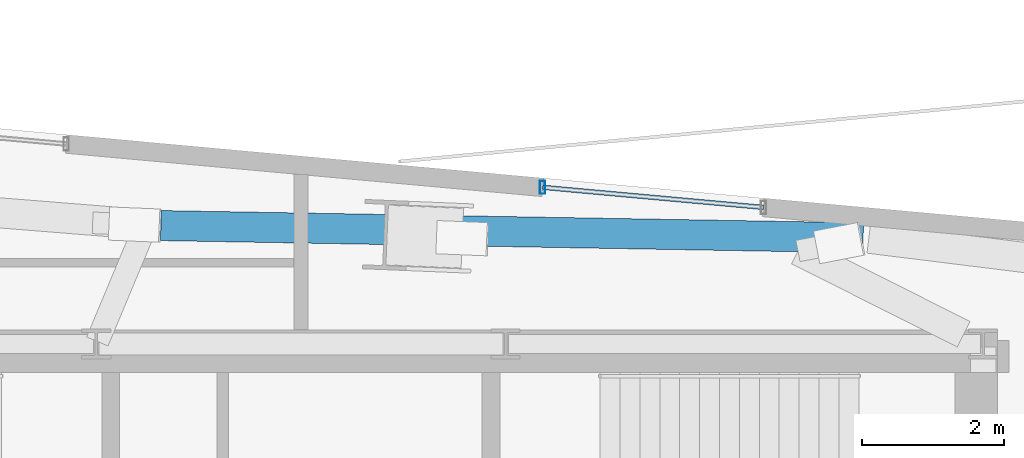
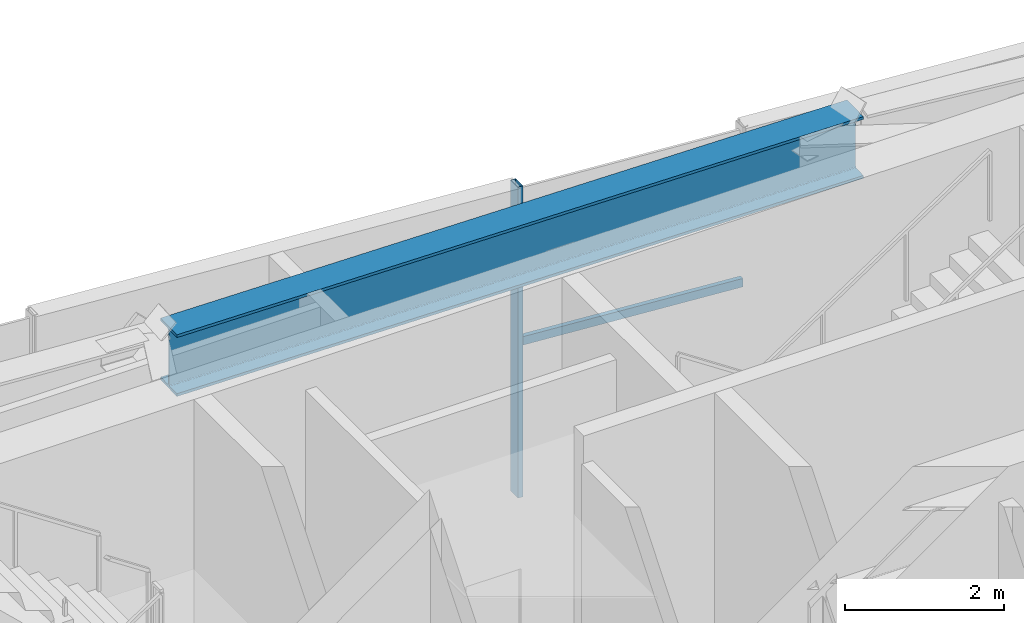
# One storey, part 8 of 20: 2 members, 1 beam, 1 element without a shape of its own.
"""IFC4 building model written with IfcOpenShell, lengths in metres."""

from ifc_helpers import new_model, si_unit, direction, frame, origin, origin_2d, place, context, subcontext, project, spatial, hollow_rectangle, i_section, extrude, source, transform, mapped, material, material_profile, profile_set, type_object, type_shapes, element, aggregate, save


model = new_model("IFC4")

# Units and contexts
model_context = context("Model", 3, precision=1e-05, world=origin(), true_north=direction((0.0, 1.0)))
body_context = subcontext(model_context, "Body", "Model", "MODEL_VIEW")
ifc_project = project(units=[si_unit("LENGTHUNIT", "METRE"), si_unit("AREAUNIT", "SQUARE_METRE"), si_unit("VOLUMEUNIT", "CUBIC_METRE"), si_unit("PLANEANGLEUNIT", "RADIAN"), si_unit("MASSUNIT", "GRAM", prefix="KILO")], contexts=[model_context])

# Site, building, storey
site_placement = place(None, origin())
site = spatial("IfcSite", under=ifc_project, at=site_placement, CompositionType="ELEMENT")
building_placement = place(site_placement, origin())
building = spatial("IfcBuilding", under=site, at=building_placement, Name="Astriad Promenade Condominiums", CompositionType="ELEMENT")
storey_placement = place(building_placement, frame((0.0, 0.0, 211.39990234375)))
storey = spatial("IfcBuildingStorey", under=building, at=storey_placement, Name="L61", CompositionType="ELEMENT", Elevation=211.39990234375)

# Beam
ifc_material_1 = material(Name="Steel ASTM A992 Grade 50", Category="steel")
ifc_material_profile_1 = material_profile(ifc_material_1, i_section(OverallWidth=0.423095703125, OverallDepth=0.9482421875, WebThickness=0.02392578125, FlangeThickness=0.042724609375, FilletRadius=0.024169921875, at=origin_2d()), Name="W36X302")
ifc_profile_set_1 = profile_set([ifc_material_profile_1], Name="Steel ASTM A992 Grade 50")
beam_type = type_object("IfcBeamType", Name="STEEL PERIMETER RING GIRDER W36X302", PredefinedType="BEAM", material=ifc_profile_set_1)
shared_shape_1 = source(origin(), body_context, "Body", "SweptSolid", [
    extrude(i_section(OverallWidth=0.423095703125, OverallDepth=0.9482421875, WebThickness=0.02392578125, FlangeThickness=0.042724609375, FilletRadius=0.024169921875, at=origin_2d()), origin(), (0.0, 0.0, 1.0), 9.8837890625),
])
type_shapes(beam_type, [shared_shape_1])
beam_placement = place(storey_placement, frame((43.9111328125, 25.4951171875, 4.305908203125), z_axis=(-0.999848360846, 0.017414227343, 0.0), x_axis=(-0.017414227343, -0.999848360846, 0.0)))
element("IfcBeam", 1, at=beam_placement, inside=storey, type_object=beam_type, Name="Perimeter Spandrel Beam SP-N3-L61", PredefinedType="BEAM", context=body_context, shape_type="MappedRepresentation", body=[
    mapped(shared_shape_1, transform((0.0, 0.0, 0.0), scale=1.0)),
])

# Curtain wall, members
ifc_material_2 = material(Name="Anodised aluminium Black Dark Glass Unitised", Category="aluminium")
curtain_wall_type = type_object("IfcCurtainWallType", Name="CW-B5-DARK", PredefinedType="USERDEFINED", material=ifc_material_2)
curtain_wall_placement = place(storey_placement, origin())
curtain_wall = element("IfcCurtainWall", 2, at=curtain_wall_placement, inside=storey, type_object=curtain_wall_type, Name="CW-L61-N-3", ObjectType="UNITISED_CURTAIN_WALL", PredefinedType="USERDEFINED")
ifc_material_3 = material(Name="Anodised aluminium 6063-T6 Black", Category="aluminium")
ifc_material_profile_2 = material_profile(ifc_material_3, hollow_rectangle(XDim=0.074951171875, YDim=0.18505859375, WallThickness=0.00439453125, at=origin_2d()), Name="ALU-MUL-75X185")
ifc_profile_set_2 = profile_set([ifc_material_profile_2], Name="Anodised aluminium 6063-T6 Black")
member_type_1 = type_object("IfcMemberType", Name="MUL-ALU-MUL-75X185", PredefinedType="MULLION", material=ifc_profile_set_2)
shared_shape_2 = source(origin(), body_context, "Body", "SweptSolid", [
    extrude(hollow_rectangle(XDim=0.074951171875, YDim=0.18505859375, WallThickness=0.00439453125, at=origin_2d()), origin(), (0.0, 0.0, 1.0), 4.780029296875),
])
type_shapes(member_type_1, [shared_shape_2])
member_1_placement = place(storey_placement, frame((39.40087890625, 26.20556640625, 0.0), z_axis=(0.0, 0.0, 1.0), x_axis=(1.0, 0.0, 0.0)))
member_1 = element("IfcMember", 3, at=member_1_placement, type_object=member_type_1, Name="CW-L61-N-3-MUL-00", PredefinedType="MULLION", context=body_context, shape_type="MappedRepresentation", body=[
    mapped(shared_shape_2, transform((0.0, 0.0, 0.0), scale=1.0)),
])
ifc_material_profile_3 = material_profile(ifc_material_3, hollow_rectangle(XDim=0.06494140625, YDim=0.1298828125, WallThickness=0.00390625, at=origin_2d()), Name="ALU-TRN-65X130")
ifc_profile_set_3 = profile_set([ifc_material_profile_3], Name="Anodised aluminium 6063-T6 Black")
member_type_2 = type_object("IfcMemberType", Name="TRN-ALU-TRN-65X130", PredefinedType="USERDEFINED", material=ifc_profile_set_3)
shared_shape_3 = source(origin(), body_context, "Body", "SweptSolid", [
    extrude(hollow_rectangle(XDim=0.06494140625, YDim=0.1298828125, WallThickness=0.00390625, at=origin_2d()), origin(), (0.0, 0.0, 1.0), 3.1201171875),
])
type_shapes(member_type_2, [shared_shape_3])
member_2_placement = place(storey_placement, frame((39.40087890625, 26.20556640625, 2.35009765625), z_axis=(0.995879083839, -0.090690960805, 0.0), x_axis=(0.090690960805, 0.995879083839, 0.0)))
member_2 = element("IfcMember", 4, at=member_2_placement, type_object=member_type_2, Name="CW-L61-N-3-TRN-00-0", ObjectType="TRANSOM", PredefinedType="USERDEFINED", context=body_context, shape_type="MappedRepresentation", body=[
    mapped(shared_shape_3, transform((0.0, 0.0, 0.0), scale=1.0)),
])
aggregate(curtain_wall, [member_1, member_2])

save(model, "model.ifc")
